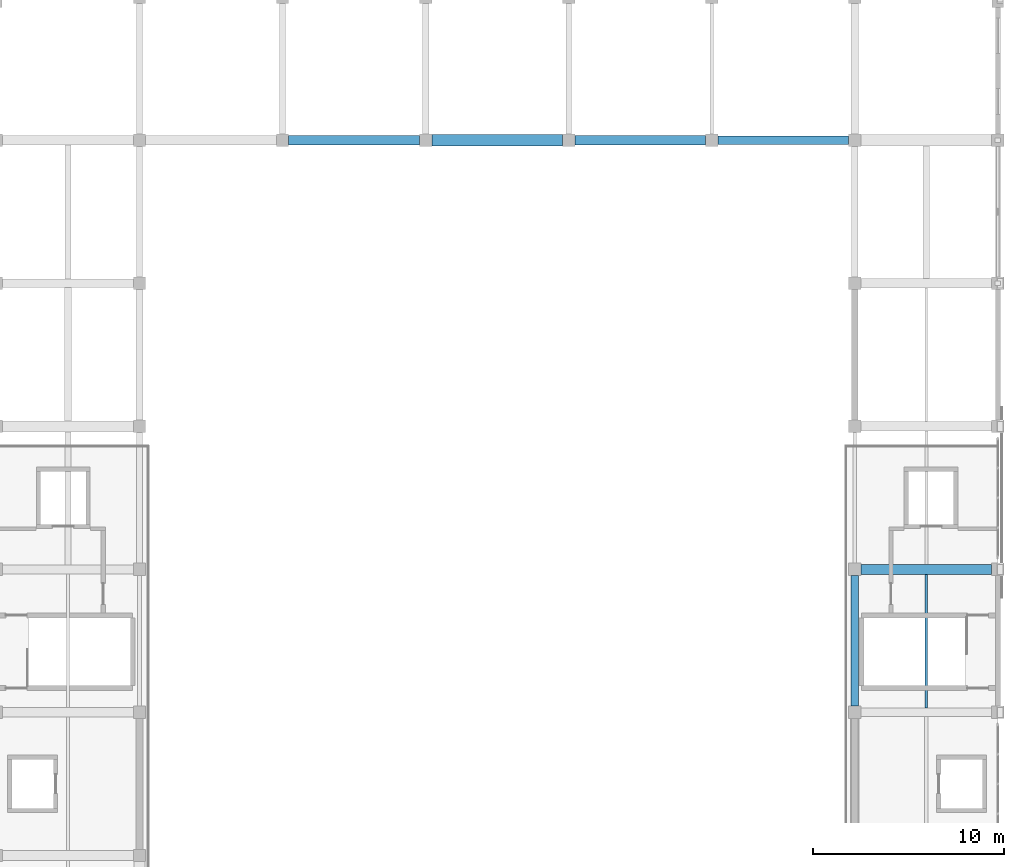
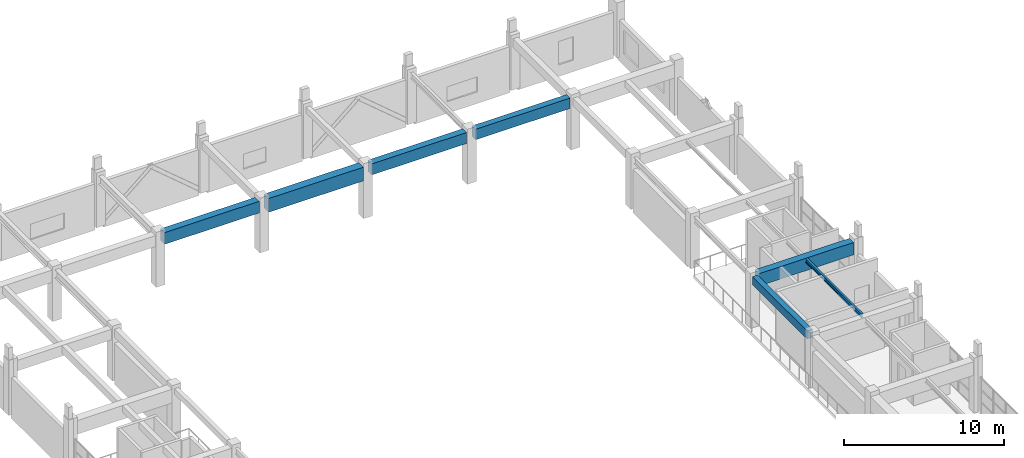
# One storey, part 21 of 51: 7 beams.
"""IFC4 building model written with IfcOpenShell, lengths in metres."""

from ifc_helpers import new_model, si_unit, direction, frame, origin, origin_2d, place, context, subcontext, project, spatial, rectangle, i_section, extrude, material, material_profile, profile_set, type_object, element, save


model = new_model("IFC4")

# Units and contexts
model_context = context("Model", 3, precision=1e-05, world=origin(), true_north=direction((0.0, 1.0)))
body_context = subcontext(model_context, "Body", "Model", "MODEL_VIEW")
ifc_project = project(units=[si_unit("LENGTHUNIT", "METRE"), si_unit("AREAUNIT", "SQUARE_METRE"), si_unit("VOLUMEUNIT", "CUBIC_METRE"), si_unit("PLANEANGLEUNIT", "RADIAN"), si_unit("MASSUNIT", "GRAM", prefix="KILO")], contexts=[model_context])

# Site, building, storey
site_placement = place(None, origin())
site = spatial("IfcSite", under=ifc_project, at=site_placement, CompositionType="ELEMENT")
building_placement = place(site_placement, origin())
building = spatial("IfcBuilding", under=site, at=building_placement, Name="Qasida Concert Hall", CompositionType="ELEMENT")
storey_placement = place(building_placement, frame((0.0, 0.0, 21.0)))
storey = spatial("IfcBuildingStorey", under=building, at=storey_placement, Name="L05", CompositionType="ELEMENT", Elevation=21.0)

# Beams
ifc_material_1 = material(Name="Concrete C40/50", Category="concrete")
ifc_material_profile_1 = material_profile(ifc_material_1, rectangle(XDim=0.3798828125, YDim=0.6201171875, at=origin_2d()), Name="RC 380x620")
ifc_profile_set_1 = profile_set([ifc_material_profile_1], Name="Concrete C40/50")
beam_type_1 = type_object("IfcBeamType", Name="BM-B10", PredefinedType="BEAM", material=ifc_profile_set_1)
beam_1_placement = place(storey_placement, frame((97.5, 45.324951171875, 3.610107421875), z_axis=(0.0, 1.0, 0.0), x_axis=(-1.0, 0.0, 0.0)))
element("IfcBeam", 1, at=beam_1_placement, inside=storey, type_object=beam_type_1, Name="L05 girder 2022", PredefinedType="BEAM", context=body_context, shape_type="SweptSolid", body=[
    extrude(rectangle(XDim=0.3798828125, YDim=0.6201171875, at=origin_2d()), origin(), (0.0, 0.0, 1.0), 6.85009765625),
])
ifc_material_profile_2 = material_profile(ifc_material_1, rectangle(XDim=0.5, YDim=0.89990234375, at=origin_2d()), Name="RC 500x900")
ifc_profile_set_2 = profile_set([ifc_material_profile_2], Name="Concrete C40/50")
beam_type_2 = type_object("IfcBeamType", Name="BM-G1", PredefinedType="USERDEFINED", material=ifc_profile_set_2)
beam_2_placement = place(storey_placement, frame((67.824951171875, 75.0, 3.469970703125), z_axis=(1.0, 0.0, 0.0), x_axis=(0.0, 1.0, 0.0)))
element("IfcBeam", 2, at=beam_2_placement, inside=storey, type_object=beam_type_2, Name="Primary girder 2004", ObjectType="GIRDER", PredefinedType="USERDEFINED", context=body_context, shape_type="SweptSolid", body=[
    extrude(rectangle(XDim=0.5, YDim=0.89990234375, at=origin_2d()), origin(), (0.0, 0.0, 1.0), 6.85009765625),
])
ifc_material_profile_3 = material_profile(ifc_material_1, rectangle(XDim=0.449951171875, YDim=0.800048828125, at=origin_2d()), Name="RC 450x800")
ifc_profile_set_3 = profile_set([ifc_material_profile_3], Name="Concrete C40/50")
beam_type_3 = type_object("IfcBeamType", Name="BM-G2", PredefinedType="USERDEFINED", material=ifc_profile_set_3)
beam_3_placement = place(storey_placement, frame((90.324951171875, 75.0, 3.52001953125), z_axis=(1.0, 0.0, 0.0), x_axis=(0.0, 1.0, 0.0)))
element("IfcBeam", 3, at=beam_3_placement, inside=storey, type_object=beam_type_3, Name="Primary girder 2007", ObjectType="GIRDER", PredefinedType="USERDEFINED", context=body_context, shape_type="SweptSolid", body=[
    extrude(rectangle(XDim=0.449951171875, YDim=0.800048828125, at=origin_2d()), origin(), (0.0, 0.0, 1.0), 6.85009765625),
])
ifc_material_profile_4 = material_profile(ifc_material_1, rectangle(XDim=0.47998046875, YDim=0.85009765625, at=origin_2d()), Name="RC 480x850")
ifc_profile_set_4 = profile_set([ifc_material_profile_4], Name="Concrete C40/50")
beam_type_4 = type_object("IfcBeamType", Name="BM-G6", PredefinedType="USERDEFINED", material=ifc_profile_set_4)
beam_4_placement = place(storey_placement, frame((82.824951171875, 75.0, 3.4951171875), z_axis=(1.0, 0.0, 0.0), x_axis=(0.0, 1.0, 0.0)))
element("IfcBeam", 4, at=beam_4_placement, inside=storey, type_object=beam_type_4, Name="Primary girder 2006", ObjectType="GIRDER", PredefinedType="USERDEFINED", context=body_context, shape_type="SweptSolid", body=[
    extrude(rectangle(XDim=0.47998046875, YDim=0.85009765625, at=origin_2d()), origin(), (0.0, 0.0, 1.0), 6.85009765625),
])
ifc_material_profile_5 = material_profile(ifc_material_1, rectangle(XDim=0.52001953125, YDim=0.949951171875, at=origin_2d()), Name="RC 520x950")
ifc_profile_set_5 = profile_set([ifc_material_profile_5], Name="Concrete C40/50")
beam_type_5 = type_object("IfcBeamType", Name="BM-G7", PredefinedType="USERDEFINED", material=ifc_profile_set_5)
beam_5_placement = place(storey_placement, frame((97.824951171875, 52.5, 3.445068359375), z_axis=(1.0, 0.0, 0.0), x_axis=(0.0, 1.0, 0.0)))
element("IfcBeam", 5, at=beam_5_placement, inside=storey, type_object=beam_type_5, Name="Primary girder 1997", ObjectType="GIRDER", PredefinedType="USERDEFINED", context=body_context, shape_type="SweptSolid", body=[
    extrude(rectangle(XDim=0.52001953125, YDim=0.949951171875, at=origin_2d()), origin(), (0.0, 0.0, 1.0), 6.85009765625),
])
ifc_material_2 = material(Name="Concrete C50/60", Category="concrete")
ifc_material_profile_6 = material_profile(ifc_material_2, rectangle(XDim=0.580078125, YDim=1.050048828125, at=origin_2d()), Name="RC 580x1050")
ifc_profile_set_6 = profile_set([ifc_material_profile_6], Name="Concrete C50/60")
beam_type_6 = type_object("IfcBeamType", Name="BM-G8", PredefinedType="USERDEFINED", material=ifc_profile_set_6)
beam_6_placement = place(storey_placement, frame((75.324951171875, 75.0, 3.39501953125), z_axis=(1.0, 0.0, 0.0), x_axis=(0.0, 1.0, 0.0)))
element("IfcBeam", 6, at=beam_6_placement, inside=storey, type_object=beam_type_6, Name="Primary girder 2005", ObjectType="GIRDER", PredefinedType="USERDEFINED", context=body_context, shape_type="SweptSolid", body=[
    extrude(rectangle(XDim=0.580078125, YDim=1.050048828125, at=origin_2d()), origin(), (0.0, 0.0, 1.0), 6.85009765625),
])
ifc_material_3 = material(Name="Steel S355J2", Category="steel")
ifc_material_profile_7 = material_profile(ifc_material_3, i_section(OverallWidth=0.14990234375, OverallDepth=0.300048828125, WebThickness=0.007080078125, FlangeThickness=0.0107421875, FilletRadius=0.014892578125, at=origin_2d()), Name="IPE 300")
ifc_profile_set_7 = profile_set([ifc_material_profile_7], Name="Steel S355J2")
beam_type_7 = type_object("IfcBeamType", Name="BM-J4", PredefinedType="JOIST", material=ifc_profile_set_7)
beam_7_placement = place(storey_placement, frame((101.25, 45.22509765625, 3.77001953125), z_axis=(0.0, 1.0, 0.0), x_axis=(-1.0, 0.0, 0.0)))
element("IfcBeam", 7, at=beam_7_placement, inside=storey, type_object=beam_type_7, Name="L05 secondary joist 2035", PredefinedType="JOIST", context=body_context, shape_type="SweptSolid", body=[
    extrude(i_section(OverallWidth=0.14990234375, OverallDepth=0.300048828125, WebThickness=0.007080078125, FlangeThickness=0.0107421875, FilletRadius=0.014892578125, at=origin_2d()), origin(), (0.0, 0.0, 1.0), 7.014892578125),
])

save(model, "model.ifc")
